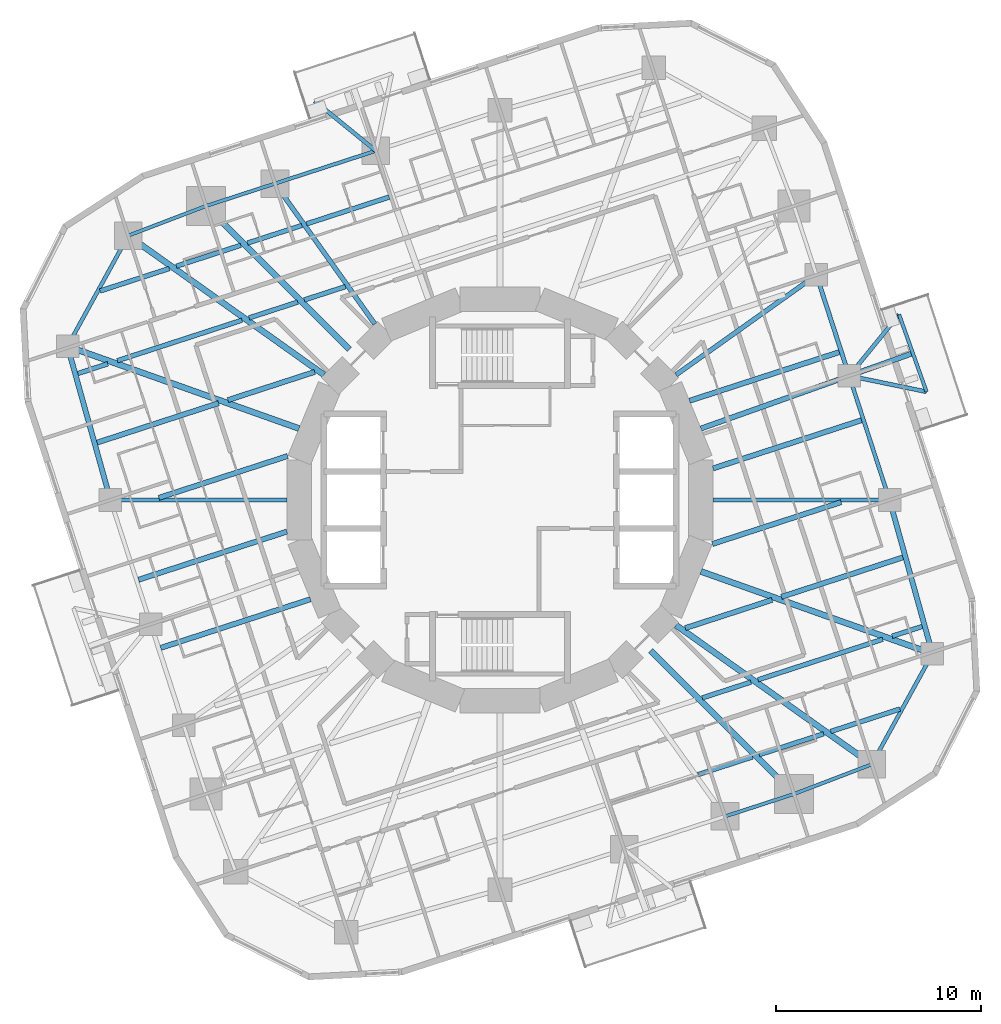
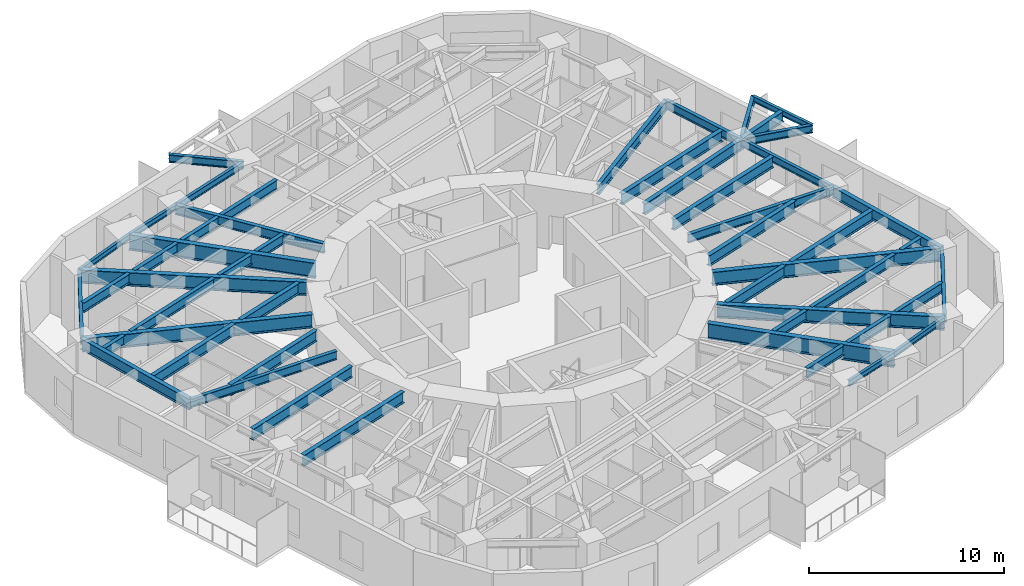
# One storey, part 2 of 13: 50 beams.
"""IFC4 building model written with IfcOpenShell, lengths in metres."""

from ifc_helpers import new_model, si_unit, direction, frame, origin, origin_2d, place, context, subcontext, project, spatial, i_section, extrude, material, material_profile, profile_set, type_object, element, save


model = new_model("IFC4")

# Units and contexts
model_context = context("Model", 3, precision=1e-05, world=origin(), true_north=direction((0.0, 1.0)))
body_context = subcontext(model_context, "Body", "Model", "MODEL_VIEW")
ifc_project = project(units=[si_unit("LENGTHUNIT", "METRE"), si_unit("AREAUNIT", "SQUARE_METRE"), si_unit("VOLUMEUNIT", "CUBIC_METRE"), si_unit("PLANEANGLEUNIT", "RADIAN"), si_unit("MASSUNIT", "GRAM", prefix="KILO")], contexts=[model_context])

# Site, building, storey
site_placement = place(None, origin())
site = spatial("IfcSite", under=ifc_project, at=site_placement, CompositionType="ELEMENT")
building_placement = place(site_placement, origin())
building = spatial("IfcBuilding", under=site, at=building_placement, Name="Nakasero Lantern House", CompositionType="ELEMENT")
storey_placement = place(building_placement, frame((0.0, 0.0, 164.89990234375)))
storey = spatial("IfcBuildingStorey", under=building, at=storey_placement, Name="L40", CompositionType="ELEMENT", Elevation=164.89990234375)

# Beams
ifc_material_1 = material(Name="Steel S355", Category="steel")
ifc_material_profile_1 = material_profile(ifc_material_1, i_section(OverallWidth=0.199462890625, OverallDepth=0.491943359375, WebThickness=0.01806640625, FlangeThickness=0.031982421875, FilletRadius=0.01025390625, at=origin_2d()), Name="UB 457x191x161")
ifc_profile_set_1 = profile_set([ifc_material_profile_1], Name="Steel S355")
beam_type_1 = type_object("IfcBeamType", Name="Balcony splay beam UB 457x191x161", PredefinedType="BEAM", material=ifc_profile_set_1)
for number, where, z_axis, x_axis, name in (
    (1, (17.060546875, 6.06591796875, 3.404052734375), (0.632127727159, 0.774864205236, 0.0), (-0.774864205236, 0.632127727159, 0.0), "Balcony splay beam L41 B4-C04A"),
    (2, (17.060546875, 6.06591796875, 3.404052734375), (0.979420272605, -0.201831438605, 0.0), (0.201831438605, 0.979420272605, 0.0), "Balcony splay beam L41 B4-C04B"),
    (3, (-6.06591796875, 17.060546875, 3.404052734375), (-0.774864205236, 0.632127727159, 0.0), (-0.632127727159, -0.774864205236, 0.0), "Balcony splay beam L41 B4-C10A"),
):
    element("IfcBeam", number, at=place(storey_placement, frame(where, z_axis=z_axis, x_axis=x_axis)), inside=storey, type_object=beam_type_1, Name=name, PredefinedType="BEAM", context=body_context, shape_type="SweptSolid", body=[
        extrude(i_section(OverallWidth=0.199462890625, OverallDepth=0.491943359375, WebThickness=0.01806640625, FlangeThickness=0.031982421875, FilletRadius=0.01025390625, at=origin_2d()), origin(), (0.0, 0.0, 1.0), 3.858642578125),
    ])
ifc_material_2 = material(Name="Steel S355", Category="steel")
ifc_material_profile_2 = material_profile(ifc_material_2, i_section(OverallWidth=0.17138671875, OverallDepth=0.35498046875, WebThickness=0.00732421875, FlangeThickness=0.011474609375, FilletRadius=0.01025390625, at=origin_2d()), Name="UB 356x171x51")
ifc_profile_set_2 = profile_set([ifc_material_profile_2], Name="Steel S355")
beam_type_2 = type_object("IfcBeamType", Name="Balcony tie beam UB 356x171x51", PredefinedType="BEAM", material=ifc_profile_set_2)
beam_1_placement = place(storey_placement, frame((19.499755859375, 9.055908203125, 3.47265625), z_axis=(0.335025321236, -0.942209124415, 0.0), x_axis=(0.942209124415, 0.335025321236, 0.0)))
element("IfcBeam", 4, at=beam_1_placement, inside=storey, type_object=beam_type_2, Name="Balcony tie beam L41 B4-C04", PredefinedType="BEAM", context=body_context, shape_type="SweptSolid", body=[
    extrude(i_section(OverallWidth=0.17138671875, OverallDepth=0.35498046875, WebThickness=0.00732421875, FlangeThickness=0.011474609375, FilletRadius=0.01025390625, at=origin_2d()), origin(), (0.0, 0.0, 1.0), 4.0),
])
ifc_material_3 = material(Name="Steel S355", Category="steel")
ifc_material_profile_3 = material_profile(ifc_material_3, i_section(OverallWidth=0.22900390625, OverallDepth=0.6123046875, WebThickness=0.011962890625, FlangeThickness=0.01953125, FilletRadius=0.0126953125, at=origin_2d()), Name="UB 610x229x125")
ifc_profile_set_3 = profile_set([ifc_material_profile_3], Name="Steel S355")
beam_type_3 = type_object("IfcBeamType", Name="Infill beam UB 610x229x125", PredefinedType="JOIST", material=ifc_profile_set_3)
beam_2_placement = place(storey_placement, frame((9.68017578125, -13.415283203125, 3.343994140625), z_axis=(0.951048827377, 0.309040657431, 0.0), x_axis=(-0.309040657431, 0.951048827377, 0.0)))
element("IfcBeam", 5, at=beam_2_placement, inside=storey, type_object=beam_type_3, Name="Infill beam L41 03.5", PredefinedType="JOIST", context=body_context, shape_type="SweptSolid", body=[
    extrude(i_section(OverallWidth=0.22900390625, OverallDepth=0.6123046875, WebThickness=0.011962890625, FlangeThickness=0.01953125, FilletRadius=0.0126953125, at=origin_2d()), origin(), (0.0, 0.0, 1.0), 2.7958984375),
])
beam_3_placement = place(storey_placement, frame((12.659423828125, -12.447265625, 3.343994140625), z_axis=(0.951057343237, 0.309014449297, 0.0), x_axis=(-0.309014449297, 0.951057343237, 0.0)))
element("IfcBeam", 6, at=beam_3_placement, inside=storey, type_object=beam_type_3, Name="Infill beam L41 03.6", PredefinedType="JOIST", context=body_context, shape_type="SweptSolid", body=[
    extrude(i_section(OverallWidth=0.22900390625, OverallDepth=0.6123046875, WebThickness=0.011962890625, FlangeThickness=0.01953125, FilletRadius=0.0126953125, at=origin_2d()), origin(), (0.0, 0.0, 1.0), 3.314208984375),
])
beam_4_placement = place(storey_placement, frame((16.15771484375, -11.310546875, 3.343994140625), z_axis=(0.951052231022, 0.309030182777, 0.0), x_axis=(-0.309030182777, 0.951052231022, 0.0)))
element("IfcBeam", 7, at=beam_4_placement, inside=storey, type_object=beam_type_3, Name="Infill beam L41 03.7", PredefinedType="JOIST", context=body_context, shape_type="SweptSolid", body=[
    extrude(i_section(OverallWidth=0.22900390625, OverallDepth=0.6123046875, WebThickness=0.011962890625, FlangeThickness=0.01953125, FilletRadius=0.0126953125, at=origin_2d()), origin(), (0.0, 0.0, 1.0), 3.555908203125),
])
beam_5_placement = place(storey_placement, frame((9.8818359375, -9.669677734375, 3.343994140625), z_axis=(0.95105846813, 0.30901098718, 0.0), x_axis=(-0.30901098718, 0.95105846813, 0.0)))
element("IfcBeam", 8, at=beam_5_placement, inside=storey, type_object=beam_type_3, Name="Infill beam L41 04.6", PredefinedType="JOIST", context=body_context, shape_type="SweptSolid", body=[
    extrude(i_section(OverallWidth=0.22900390625, OverallDepth=0.6123046875, WebThickness=0.011962890625, FlangeThickness=0.01953125, FilletRadius=0.0126953125, at=origin_2d()), origin(), (0.0, 0.0, 1.0), 2.499755859375),
])
beam_6_placement = place(storey_placement, frame((12.605712890625, -8.78466796875, 3.343994140625), z_axis=(0.951048625867, 0.309041277561, 0.0), x_axis=(-0.309041277561, 0.951048625867, 0.0)))
element("IfcBeam", 9, at=beam_6_placement, inside=storey, type_object=beam_type_3, Name="Infill beam L41 04.7", PredefinedType="JOIST", context=body_context, shape_type="SweptSolid", body=[
    extrude(i_section(OverallWidth=0.22900390625, OverallDepth=0.6123046875, WebThickness=0.011962890625, FlangeThickness=0.01953125, FilletRadius=0.0126953125, at=origin_2d()), origin(), (0.0, 0.0, 1.0), 6.408447265625),
])
for number, where, z_axis, x_axis, name in (
    (10, (19.156494140625, -6.656005859375, 3.343994140625), (0.95105845859, 0.309011016544, 0.0), (-0.309011016544, 0.95105845859, 0.0), "Infill beam L41 04.8"),
    (11, (-20.62548828125, 6.1787109375, 3.343994140625), (0.95105845859, 0.309011016544, 0.0), (-0.309011016544, 0.95105845859, 0.0), "Infill beam L41 11.1"),
):
    element("IfcBeam", number, at=place(storey_placement, frame(where, z_axis=z_axis, x_axis=x_axis)), inside=storey, type_object=beam_type_3, Name=name, PredefinedType="JOIST", context=body_context, shape_type="SweptSolid", body=[
        extrude(i_section(OverallWidth=0.22900390625, OverallDepth=0.6123046875, WebThickness=0.011962890625, FlangeThickness=0.01953125, FilletRadius=0.0126953125, at=origin_2d()), origin(), (0.0, 0.0, 1.0), 1.544677734375),
    ])
beam_7_placement = place(storey_placement, frame((-18.700439453125, 6.80419921875, 3.343994140625), z_axis=(0.951048625867, 0.309041277561, 0.0), x_axis=(-0.309041277561, 0.951048625867, 0.0)))
element("IfcBeam", 12, at=beam_7_placement, inside=storey, type_object=beam_type_3, Name="Infill beam L41 11.2", PredefinedType="JOIST", context=body_context, shape_type="SweptSolid", body=[
    extrude(i_section(OverallWidth=0.22900390625, OverallDepth=0.6123046875, WebThickness=0.011962890625, FlangeThickness=0.01953125, FilletRadius=0.0126953125, at=origin_2d()), origin(), (0.0, 0.0, 1.0), 6.408447265625),
])
beam_8_placement = place(storey_placement, frame((-12.25927734375, 8.897216796875, 3.343994140625), z_axis=(0.95105846813, 0.30901098718, 0.0), x_axis=(-0.30901098718, 0.95105846813, 0.0)))
element("IfcBeam", 13, at=beam_8_placement, inside=storey, type_object=beam_type_3, Name="Infill beam L41 11.3", PredefinedType="JOIST", context=body_context, shape_type="SweptSolid", body=[
    extrude(i_section(OverallWidth=0.22900390625, OverallDepth=0.6123046875, WebThickness=0.011962890625, FlangeThickness=0.01953125, FilletRadius=0.0126953125, at=origin_2d()), origin(), (0.0, 0.0, 1.0), 2.499755859375),
])
beam_9_placement = place(storey_placement, frame((-9.5615234375, 9.773681640625, 3.343994140625), z_axis=(0.951062120034, 0.308999747307, 0.0), x_axis=(-0.308999747307, 0.951062120034, 0.0)))
element("IfcBeam", 14, at=beam_9_placement, inside=storey, type_object=beam_type_3, Name="Infill beam L41 11.4", PredefinedType="JOIST", context=body_context, shape_type="SweptSolid", body=[
    extrude(i_section(OverallWidth=0.22900390625, OverallDepth=0.6123046875, WebThickness=0.011962890625, FlangeThickness=0.01953125, FilletRadius=0.0126953125, at=origin_2d()), origin(), (0.0, 0.0, 1.0), 2.1103515625),
])
beam_10_placement = place(storey_placement, frame((-19.53955078125, 10.211669921875, 3.343994140625), z_axis=(0.951052231022, 0.309030182777, 0.0), x_axis=(-0.309030182777, 0.951052231022, 0.0)))
element("IfcBeam", 15, at=beam_10_placement, inside=storey, type_object=beam_type_3, Name="Infill beam L41 12.1", PredefinedType="JOIST", context=body_context, shape_type="SweptSolid", body=[
    extrude(i_section(OverallWidth=0.22900390625, OverallDepth=0.6123046875, WebThickness=0.011962890625, FlangeThickness=0.01953125, FilletRadius=0.0126953125, at=origin_2d()), origin(), (0.0, 0.0, 1.0), 3.555908203125),
])
beam_11_placement = place(storey_placement, frame((-15.8115234375, 11.423095703125, 3.343994140625), z_axis=(0.951057343237, 0.309014449297, 0.0), x_axis=(-0.309014449297, 0.951057343237, 0.0)))
element("IfcBeam", 16, at=beam_11_placement, inside=storey, type_object=beam_type_3, Name="Infill beam L41 12.2", PredefinedType="JOIST", context=body_context, shape_type="SweptSolid", body=[
    extrude(i_section(OverallWidth=0.22900390625, OverallDepth=0.6123046875, WebThickness=0.011962890625, FlangeThickness=0.01953125, FilletRadius=0.0126953125, at=origin_2d()), origin(), (0.0, 0.0, 1.0), 3.314208984375),
])
beam_12_placement = place(storey_placement, frame((-12.339111328125, 12.55126953125, 3.343994140625), z_axis=(0.951048827377, 0.309040657431, 0.0), x_axis=(-0.309040657431, 0.951048827377, 0.0)))
element("IfcBeam", 17, at=beam_12_placement, inside=storey, type_object=beam_type_3, Name="Infill beam L41 12.3", PredefinedType="JOIST", context=body_context, shape_type="SweptSolid", body=[
    extrude(i_section(OverallWidth=0.22900390625, OverallDepth=0.6123046875, WebThickness=0.011962890625, FlangeThickness=0.01953125, FilletRadius=0.0126953125, at=origin_2d()), origin(), (0.0, 0.0, 1.0), 2.7958984375),
])
beam_13_placement = place(storey_placement, frame((-9.451904296875, 13.489501953125, 3.343994140625), z_axis=(0.951061556317, 0.309001482352, 0.0), x_axis=(-0.309001482352, 0.951061556317, 0.0)))
element("IfcBeam", 18, at=beam_13_placement, inside=storey, type_object=beam_type_3, Name="Infill beam L41 12.4", PredefinedType="JOIST", context=body_context, shape_type="SweptSolid", body=[
    extrude(i_section(OverallWidth=0.22900390625, OverallDepth=0.6123046875, WebThickness=0.011962890625, FlangeThickness=0.01953125, FilletRadius=0.0126953125, at=origin_2d()), origin(), (0.0, 0.0, 1.0), 4.241943359375),
])
ifc_material_4 = material(Name="Steel S355", Category="steel")
ifc_material_profile_4 = material_profile(ifc_material_4, i_section(OverallWidth=0.253662109375, OverallDepth=0.68359375, WebThickness=0.012451171875, FlangeThickness=0.01904296875, FilletRadius=0.01513671875, at=origin_2d()), Name="UB 686x254x140")
ifc_profile_set_4 = profile_set([ifc_material_profile_4], Name="Steel S355")
beam_type_4 = type_object("IfcBeamType", Name="Infill beam UB 686x254x140", PredefinedType="JOIST", material=ifc_profile_set_4)
beam_14_placement = place(storey_placement, frame((9.053466796875, -6.258544921875, 3.308349609375), z_axis=(0.951065863794, 0.308988224251, 0.0), x_axis=(-0.308988224251, 0.951065863794, 0.0)))
element("IfcBeam", 19, at=beam_14_placement, inside=storey, type_object=beam_type_4, Name="Infill beam L41 05.3", PredefinedType="JOIST", context=body_context, shape_type="SweptSolid", body=[
    extrude(i_section(OverallWidth=0.253662109375, OverallDepth=0.68359375, WebThickness=0.012451171875, FlangeThickness=0.01904296875, FilletRadius=0.01513671875, at=origin_2d()), origin(), (0.0, 0.0, 1.0), 4.45703125),
])
beam_15_placement = place(storey_placement, frame((13.74853515625, -4.733154296875, 3.308349609375), z_axis=(0.951058217804, 0.30901175762, 0.0), x_axis=(-0.30901175762, 0.951058217804, 0.0)))
element("IfcBeam", 20, at=beam_15_placement, inside=storey, type_object=beam_type_4, Name="Infill beam L41 05.4", PredefinedType="JOIST", context=body_context, shape_type="SweptSolid", body=[
    extrude(i_section(OverallWidth=0.253662109375, OverallDepth=0.68359375, WebThickness=0.012451171875, FlangeThickness=0.01904296875, FilletRadius=0.01513671875, at=origin_2d()), origin(), (0.0, 0.0, 1.0), 6.239990234375),
])
for number, where, z_axis, x_axis, name in (
    (21, (10.375244140625, -2.149169921875, 3.308349609375), (0.951051425994, 0.309032660271, 0.0), (-0.309032660271, 0.951051425994, 0.0), "Infill beam L41 06.2"),
    (22, (-16.666259765625, 0.10498046875, 3.308349609375), (0.951051425994, 0.309032660271, 0.0), (-0.309032660271, 0.951051425994, 0.0), "Infill beam L41 09.1"),
):
    element("IfcBeam", number, at=place(storey_placement, frame(where, z_axis=z_axis, x_axis=x_axis)), inside=storey, type_object=beam_type_4, Name=name, PredefinedType="JOIST", context=body_context, shape_type="SweptSolid", body=[
        extrude(i_section(OverallWidth=0.253662109375, OverallDepth=0.68359375, WebThickness=0.012451171875, FlangeThickness=0.01904296875, FilletRadius=0.01513671875, at=origin_2d()), origin(), (0.0, 0.0, 1.0), 6.61474609375),
    ])
beam_16_placement = place(storey_placement, frame((-19.68310546875, 2.804931640625, 3.308349609375), z_axis=(0.951058217804, 0.30901175762, 0.0), x_axis=(-0.30901175762, 0.951058217804, 0.0)))
element("IfcBeam", 23, at=beam_16_placement, inside=storey, type_object=beam_type_4, Name="Infill beam L41 10.1", PredefinedType="JOIST", context=body_context, shape_type="SweptSolid", body=[
    extrude(i_section(OverallWidth=0.253662109375, OverallDepth=0.68359375, WebThickness=0.012451171875, FlangeThickness=0.01904296875, FilletRadius=0.01513671875, at=origin_2d()), origin(), (0.0, 0.0, 1.0), 6.239990234375),
])
beam_17_placement = place(storey_placement, frame((-13.29248046875, 4.88134765625, 3.308349609375), z_axis=(0.951065863794, 0.308988224251, 0.0), x_axis=(-0.308988224251, 0.951065863794, 0.0)))
element("IfcBeam", 24, at=beam_17_placement, inside=storey, type_object=beam_type_4, Name="Infill beam L41 10.2", PredefinedType="JOIST", context=body_context, shape_type="SweptSolid", body=[
    extrude(i_section(OverallWidth=0.253662109375, OverallDepth=0.68359375, WebThickness=0.012451171875, FlangeThickness=0.01904296875, FilletRadius=0.01513671875, at=origin_2d()), origin(), (0.0, 0.0, 1.0), 4.45703125),
])
ifc_material_5 = material(Name="Steel S355", Category="steel")
ifc_material_profile_5 = material_profile(ifc_material_5, i_section(OverallWidth=0.255859375, OverallDepth=0.69287109375, WebThickness=0.014404296875, FlangeThickness=0.023681640625, FilletRadius=0.01513671875, at=origin_2d()), Name="UB 686x254x170")
ifc_profile_set_5 = profile_set([ifc_material_profile_5], Name="Steel S355")
beam_type_5 = type_object("IfcBeamType", Name="Infill beam UB 686x254x170", PredefinedType="JOIST", material=ifc_profile_set_5)
beam_18_placement = place(storey_placement, frame((-16.573486328125, -7.22509765625, 3.3037109375), z_axis=(0.951055290106, 0.309020768171, 0.0), x_axis=(-0.309020768171, 0.951055290106, 0.0)))
element("IfcBeam", 25, at=beam_18_placement, inside=storey, type_object=beam_type_5, Name="Infill beam L41 07.1", PredefinedType="JOIST", context=body_context, shape_type="SweptSolid", body=[
    extrude(i_section(OverallWidth=0.255859375, OverallDepth=0.69287109375, WebThickness=0.014404296875, FlangeThickness=0.023681640625, FilletRadius=0.01513671875, at=origin_2d()), origin(), (0.0, 0.0, 1.0), 7.692626953125),
])
for number, where, z_axis, x_axis, name in (
    (26, (10.407958984375, 1.541748046875, 3.3037109375), (0.95106204683, 0.308999972622, 0.0), (-0.308999972622, 0.95106204683, 0.0), "Infill beam L41 07.2"),
    (27, (-17.66455078125, -3.8994140625, 3.3037109375), (0.95106204683, 0.308999972622, 0.0), (-0.308999972622, 0.95106204683, 0.0), "Infill beam L41 08.1"),
):
    element("IfcBeam", number, at=place(storey_placement, frame(where, z_axis=z_axis, x_axis=x_axis)), inside=storey, type_object=beam_type_5, Name=name, PredefinedType="JOIST", context=body_context, shape_type="SweptSolid", body=[
        extrude(i_section(OverallWidth=0.255859375, OverallDepth=0.69287109375, WebThickness=0.014404296875, FlangeThickness=0.023681640625, FilletRadius=0.01513671875, at=origin_2d()), origin(), (0.0, 0.0, 1.0), 7.6298828125),
    ])
beam_19_placement = place(storey_placement, frame((9.25732421875, 4.847900390625, 3.3037109375), z_axis=(0.951055290106, 0.309020768171, 0.0), x_axis=(-0.309020768171, 0.951055290106, 0.0)))
element("IfcBeam", 28, at=beam_19_placement, inside=storey, type_object=beam_type_5, Name="Infill beam L41 08.2", PredefinedType="JOIST", context=body_context, shape_type="SweptSolid", body=[
    extrude(i_section(OverallWidth=0.255859375, OverallDepth=0.69287109375, WebThickness=0.014404296875, FlangeThickness=0.023681640625, FilletRadius=0.01513671875, at=origin_2d()), origin(), (0.0, 0.0, 1.0), 7.692626953125),
])
ifc_material_6 = material(Name="Steel S355", Category="steel")
ifc_material_profile_6 = material_profile(ifc_material_6, i_section(OverallWidth=0.300048828125, OverallDepth=0.97021484375, WebThickness=0.01611328125, FlangeThickness=0.02099609375, FilletRadius=0.030029296875, at=origin_2d()), Name="UB 1016x305x222")
ifc_profile_set_6 = profile_set([ifc_material_profile_6], Name="Steel S355")
beam_type_6 = type_object("IfcBeamType", Name="Primary beam UB 1016x305x222, span 9 to 12 m", PredefinedType="BEAM", material=ifc_profile_set_6)
for number, where, z_axis, x_axis, name in (
    (29, (-14.3642578125, 14.3642578125, 3.1650390625), (0.707106781187, -0.707106781187, 0.0), (0.707106781187, 0.707106781187, 0.0), "Primary beam L41 B4-C12"),
    (30, (14.3642578125, -14.3642578125, 3.1650390625), (-0.707106781187, 0.707106781187, 0.0), (-0.707106781187, -0.707106781187, 0.0), "Primary beam L41 B4-C24"),
):
    element("IfcBeam", number, at=place(storey_placement, frame(where, z_axis=z_axis, x_axis=x_axis)), inside=storey, type_object=beam_type_6, Name=name, PredefinedType="BEAM", context=body_context, shape_type="SweptSolid", body=[
        extrude(i_section(OverallWidth=0.300048828125, OverallDepth=0.97021484375, WebThickness=0.01611328125, FlangeThickness=0.02099609375, FilletRadius=0.030029296875, at=origin_2d()), origin(), (0.0, 0.0, 1.0), 9.906494140625),
    ])
ifc_material_7 = material(Name="Steel S355", Category="steel")
ifc_material_profile_7 = material_profile(ifc_material_7, i_section(OverallWidth=0.2099609375, OverallDepth=0.53662109375, WebThickness=0.0107421875, FlangeThickness=0.017333984375, FilletRadius=0.0126953125, at=origin_2d()), Name="UB 533x210x101")
ifc_profile_set_7 = profile_set([ifc_material_profile_7], Name="Steel S355")
beam_type_7 = type_object("IfcBeamType", Name="Primary beam UB 533x210x101, span 6 to 9 m", PredefinedType="BEAM", material=ifc_profile_set_7)
for number, where, z_axis, x_axis, name in (
    (31, (19.031494140625, 0.0, 3.3818359375), (-1.0, 0.0, 0.0), (0.0, -1.0, 0.0), "Primary beam L41 B4-C03"),
    (32, (-19.031494140625, 0.0, 3.3818359375), (1.0, 0.0, 0.0), (0.0, 1.0, 0.0), "Primary beam L41 B4-C15"),
):
    element("IfcBeam", number, at=place(storey_placement, frame(where, z_axis=z_axis, x_axis=x_axis)), inside=storey, type_object=beam_type_7, Name=name, PredefinedType="BEAM", context=body_context, shape_type="SweptSolid", body=[
        extrude(i_section(OverallWidth=0.2099609375, OverallDepth=0.53662109375, WebThickness=0.0107421875, FlangeThickness=0.017333984375, FilletRadius=0.0126953125, at=origin_2d()), origin(), (0.0, 0.0, 1.0), 8.62353515625),
    ])
ifc_material_8 = material(Name="Steel S355", Category="steel")
ifc_material_profile_8 = material_profile(ifc_material_8, i_section(OverallWidth=0.22900390625, OverallDepth=0.6123046875, WebThickness=0.011962890625, FlangeThickness=0.01953125, FilletRadius=0.0126953125, at=origin_2d()), Name="UB 610x229x125")
ifc_profile_set_8 = profile_set([ifc_material_profile_8], Name="Steel S355")
beam_type_8 = type_object("IfcBeamType", Name="Primary beam UB 610x229x125, span 6 to 9 m", PredefinedType="BEAM", material=ifc_profile_set_8)
for number, where, z_axis, x_axis, name in (
    (33, (15.45947265625, 10.993408203125, 3.343994140625), (-0.81495106139, -0.579529781409, 0.0), (0.579529781409, -0.81495106139, 0.0), "Primary beam L41 B4-C05"),
    (34, (-10.993408203125, 15.45947265625, 3.343994140625), (0.579529781409, -0.81495106139, 0.0), (0.81495106139, 0.579529781409, 0.0), "Primary beam L41 B4-C11"),
):
    element("IfcBeam", number, at=place(storey_placement, frame(where, z_axis=z_axis, x_axis=x_axis)), inside=storey, type_object=beam_type_8, Name=name, PredefinedType="BEAM", context=body_context, shape_type="SweptSolid", body=[
        extrude(i_section(OverallWidth=0.22900390625, OverallDepth=0.6123046875, WebThickness=0.011962890625, FlangeThickness=0.01953125, FilletRadius=0.0126953125, at=origin_2d()), origin(), (0.0, 0.0, 1.0), 8.41455078125),
    ])
ifc_material_9 = material(Name="Steel S355", Category="steel")
ifc_material_profile_9 = material_profile(ifc_material_9, i_section(OverallWidth=0.253662109375, OverallDepth=0.68359375, WebThickness=0.012451171875, FlangeThickness=0.01904296875, FilletRadius=0.01513671875, at=origin_2d()), Name="UB 686x254x140")
ifc_profile_set_9 = profile_set([ifc_material_profile_9], Name="Steel S355")
beam_type_9 = type_object("IfcBeamType", Name="Primary beam UB 686x254x140, span 6 to 9 m", PredefinedType="BEAM", material=ifc_profile_set_9)
beam_20_placement = place(storey_placement, frame((20.169921875, 7.17138671875, 3.308349609375), z_axis=(-0.942215625619, -0.335007036998, 0.0), x_axis=(0.335007036998, -0.942215625619, 0.0)))
element("IfcBeam", 35, at=beam_20_placement, inside=storey, type_object=beam_type_9, Name="Primary beam L41 B4-C04", PredefinedType="BEAM", context=body_context, shape_type="SweptSolid", body=[
    extrude(i_section(OverallWidth=0.253662109375, OverallDepth=0.68359375, WebThickness=0.012451171875, FlangeThickness=0.01904296875, FilletRadius=0.01513671875, at=origin_2d()), origin(), (0.0, 0.0, 1.0), 10.9853515625),
])
ifc_material_10 = material(Name="Steel S355", Category="steel")
ifc_material_profile_10 = material_profile(ifc_material_10, i_section(OverallWidth=0.29248046875, OverallDepth=0.8408203125, WebThickness=0.0146484375, FlangeThickness=0.02685546875, FilletRadius=0.017822265625, at=origin_2d()), Name="UB 838x292x194")
ifc_profile_set_10 = profile_set([ifc_material_profile_10], Name="Steel S355")
beam_type_10 = type_object("IfcBeamType", Name="Primary beam UB 838x292x194, span 12 to 15 m", PredefinedType="BEAM", material=ifc_profile_set_10)
for number, where, z_axis, x_axis, name in (
    (36, (21.129638671875, -7.5126953125, 3.229736328125), (-0.942213548974, 0.335012877559, 0.0), (-0.335012877559, -0.942213548974, 0.0), "Primary beam L41 B4-C02"),
    (37, (-21.129638671875, 7.5126953125, 3.229736328125), (0.942213548974, -0.335012877559, 0.0), (0.335012877559, 0.942213548974, 0.0), "Primary beam L41 B4-C14"),
):
    element("IfcBeam", number, at=place(storey_placement, frame(where, z_axis=z_axis, x_axis=x_axis)), inside=storey, type_object=beam_type_10, Name=name, PredefinedType="BEAM", context=body_context, shape_type="SweptSolid", body=[
        extrude(i_section(OverallWidth=0.29248046875, OverallDepth=0.8408203125, WebThickness=0.0146484375, FlangeThickness=0.02685546875, FilletRadius=0.017822265625, at=origin_2d()), origin(), (0.0, 0.0, 1.0), 12.00390625),
    ])
ifc_material_11 = material(Name="Steel S355", Category="steel")
ifc_material_profile_11 = material_profile(ifc_material_11, i_section(OverallWidth=0.29248046875, OverallDepth=0.8408203125, WebThickness=0.0146484375, FlangeThickness=0.02685546875, FilletRadius=0.017822265625, at=origin_2d()), Name="UB 838x292x194")
ifc_profile_set_11 = profile_set([ifc_material_profile_11], Name="Steel S355")
beam_type_11 = type_object("IfcBeamType", Name="Primary beam UB 838x292x194, span 9 to 12 m", PredefinedType="BEAM", material=ifc_profile_set_11)
for number, where, z_axis, x_axis, name in (
    (38, (18.1630859375, -12.916015625, 3.229736328125), (-0.814950738075, 0.579530236062, 0.0), (-0.579530236062, -0.814950738075, 0.0), "Primary beam L41 B4-C01"),
    (39, (-18.1630859375, 12.916015625, 3.229736328125), (0.814950738075, -0.579530236062, 0.0), (0.579530236062, 0.814950738075, 0.0), "Primary beam L41 B4-C13"),
):
    element("IfcBeam", number, at=place(storey_placement, frame(where, z_axis=z_axis, x_axis=x_axis)), inside=storey, type_object=beam_type_11, Name=name, PredefinedType="BEAM", context=body_context, shape_type="SweptSolid", body=[
        extrude(i_section(OverallWidth=0.29248046875, OverallDepth=0.8408203125, WebThickness=0.0146484375, FlangeThickness=0.02685546875, FilletRadius=0.017822265625, at=origin_2d()), origin(), (0.0, 0.0, 1.0), 11.73193359375),
    ])
ifc_material_12 = material(Name="Steel S355", Category="steel")
ifc_material_profile_12 = material_profile(ifc_material_12, i_section(OverallWidth=0.17138671875, OverallDepth=0.35498046875, WebThickness=0.00732421875, FlangeThickness=0.011474609375, FilletRadius=0.01025390625, at=origin_2d()), Name="UB 356x171x51")
ifc_profile_set_12 = profile_set([ifc_material_profile_12], Name="Steel S355")
beam_type_12 = type_object("IfcBeamType", Name="Ring beam UB 356x171x51", PredefinedType="BEAM", material=ifc_profile_set_12)
beam_21_placement = place(storey_placement, frame((-10.993408203125, 15.45947265625, 3.47265625), z_axis=(-0.951059881727, -0.309006636447, 0.0), x_axis=(0.309006636447, -0.951059881727, 0.0)))
element("IfcBeam", 40, at=beam_21_placement, inside=storey, type_object=beam_type_12, Name="Ring beam L41 B4-C11", PredefinedType="BEAM", context=body_context, shape_type="SweptSolid", body=[
    extrude(i_section(OverallWidth=0.17138671875, OverallDepth=0.35498046875, WebThickness=0.00732421875, FlangeThickness=0.011474609375, FilletRadius=0.01025390625, at=origin_2d()), origin(), (0.0, 0.0, 1.0), 3.544189453125),
])
beam_22_placement = place(storey_placement, frame((-14.3642578125, 14.3642578125, 3.47265625), z_axis=(-0.934400186194, -0.35622505813, 0.0), x_axis=(0.35622505813, -0.934400186194, 0.0)))
element("IfcBeam", 41, at=beam_22_placement, inside=storey, type_object=beam_type_12, Name="Ring beam L41 B4-C12", PredefinedType="BEAM", context=body_context, shape_type="SweptSolid", body=[
    extrude(i_section(OverallWidth=0.17138671875, OverallDepth=0.35498046875, WebThickness=0.00732421875, FlangeThickness=0.011474609375, FilletRadius=0.01025390625, at=origin_2d()), origin(), (0.0, 0.0, 1.0), 4.0654296875),
])
beam_23_placement = place(storey_placement, frame((10.993408203125, -15.45947265625, 3.47265625), z_axis=(0.951059881727, 0.309006636447, 0.0), x_axis=(-0.309006636447, 0.951059881727, 0.0)))
element("IfcBeam", 42, at=beam_23_placement, inside=storey, type_object=beam_type_12, Name="Ring beam L41 B4-C23", PredefinedType="BEAM", context=body_context, shape_type="SweptSolid", body=[
    extrude(i_section(OverallWidth=0.17138671875, OverallDepth=0.35498046875, WebThickness=0.00732421875, FlangeThickness=0.011474609375, FilletRadius=0.01025390625, at=origin_2d()), origin(), (0.0, 0.0, 1.0), 3.544189453125),
])
beam_24_placement = place(storey_placement, frame((14.3642578125, -14.3642578125, 3.47265625), z_axis=(0.934400186194, 0.35622505813, 0.0), x_axis=(-0.35622505813, 0.934400186194, 0.0)))
element("IfcBeam", 43, at=beam_24_placement, inside=storey, type_object=beam_type_12, Name="Ring beam L41 B4-C24", PredefinedType="BEAM", context=body_context, shape_type="SweptSolid", body=[
    extrude(i_section(OverallWidth=0.17138671875, OverallDepth=0.35498046875, WebThickness=0.00732421875, FlangeThickness=0.011474609375, FilletRadius=0.01025390625, at=origin_2d()), origin(), (0.0, 0.0, 1.0), 4.0654296875),
])
ifc_material_13 = material(Name="Steel S355", Category="steel")
ifc_material_profile_13 = material_profile(ifc_material_13, i_section(OverallWidth=0.177978515625, OverallDepth=0.406494140625, WebThickness=0.0078125, FlangeThickness=0.0126953125, FilletRadius=0.01025390625, at=origin_2d()), Name="UB 406x178x60")
ifc_profile_set_13 = profile_set([ifc_material_profile_13], Name="Steel S355")
beam_type_13 = type_object("IfcBeamType", Name="Ring beam UB 406x178x60", PredefinedType="BEAM", material=ifc_profile_set_13)
beam_25_placement = place(storey_placement, frame((-6.06591796875, 17.060546875, 3.44677734375), z_axis=(-0.95105449754, -0.309023207396, 0.0), x_axis=(0.309023207396, -0.95105449754, 0.0)))
element("IfcBeam", 44, at=beam_25_placement, inside=storey, type_object=beam_type_13, Name="Ring beam L41 B4-C10", PredefinedType="BEAM", context=body_context, shape_type="SweptSolid", body=[
    extrude(i_section(OverallWidth=0.177978515625, OverallDepth=0.406494140625, WebThickness=0.0078125, FlangeThickness=0.0126953125, FilletRadius=0.01025390625, at=origin_2d()), origin(), (0.0, 0.0, 1.0), 5.18115234375),
])
ifc_material_14 = material(Name="Steel S355", Category="steel")
ifc_material_profile_14 = material_profile(ifc_material_14, i_section(OverallWidth=0.18994140625, OverallDepth=0.453369140625, WebThickness=0.008544921875, FlangeThickness=0.0126953125, FilletRadius=0.01025390625, at=origin_2d()), Name="UB 457x191x67")
ifc_profile_set_14 = profile_set([ifc_material_profile_14], Name="Steel S355")
beam_type_14 = type_object("IfcBeamType", Name="Ring beam UB 457x191x67", PredefinedType="BEAM", material=ifc_profile_set_14)
beam_26_placement = place(storey_placement, frame((18.1630859375, -12.916015625, 3.42333984375), z_axis=(0.481261795861, 0.876576912681, 0.0), x_axis=(-0.876576912681, 0.481261795861, 0.0)))
element("IfcBeam", 45, at=beam_26_placement, inside=storey, type_object=beam_type_14, Name="Ring beam L41 B4-C01", PredefinedType="BEAM", context=body_context, shape_type="SweptSolid", body=[
    extrude(i_section(OverallWidth=0.18994140625, OverallDepth=0.453369140625, WebThickness=0.008544921875, FlangeThickness=0.0126953125, FilletRadius=0.01025390625, at=origin_2d()), origin(), (0.0, 0.0, 1.0), 6.1640625),
])
beam_27_placement = place(storey_placement, frame((19.031494140625, 0.0, 3.42333984375), z_axis=(-0.309018560274, 0.951056007502, 0.0), x_axis=(-0.951056007502, -0.309018560274, 0.0)))
element("IfcBeam", 46, at=beam_27_placement, inside=storey, type_object=beam_type_14, Name="Ring beam L41 B4-C03", PredefinedType="BEAM", context=body_context, shape_type="SweptSolid", body=[
    extrude(i_section(OverallWidth=0.18994140625, OverallDepth=0.453369140625, WebThickness=0.008544921875, FlangeThickness=0.0126953125, FilletRadius=0.01025390625, at=origin_2d()), origin(), (0.0, 0.0, 1.0), 6.378173828125),
])
beam_28_placement = place(storey_placement, frame((-18.1630859375, 12.916015625, 3.42333984375), z_axis=(-0.481261795861, -0.876576912681, 0.0), x_axis=(0.876576912681, -0.481261795861, 0.0)))
element("IfcBeam", 47, at=beam_28_placement, inside=storey, type_object=beam_type_14, Name="Ring beam L41 B4-C13", PredefinedType="BEAM", context=body_context, shape_type="SweptSolid", body=[
    extrude(i_section(OverallWidth=0.18994140625, OverallDepth=0.453369140625, WebThickness=0.008544921875, FlangeThickness=0.0126953125, FilletRadius=0.01025390625, at=origin_2d()), origin(), (0.0, 0.0, 1.0), 6.1640625),
])
ifc_material_15 = material(Name="Steel S355", Category="steel")
ifc_material_profile_15 = material_profile(ifc_material_15, i_section(OverallWidth=0.2099609375, OverallDepth=0.53662109375, WebThickness=0.0107421875, FlangeThickness=0.017333984375, FilletRadius=0.0126953125, at=origin_2d()), Name="UB 533x210x101")
ifc_profile_set_15 = profile_set([ifc_material_profile_15], Name="Steel S355")
beam_type_15 = type_object("IfcBeamType", Name="Ring beam UB 533x210x101", PredefinedType="BEAM", material=ifc_profile_set_15)
beam_29_placement = place(storey_placement, frame((17.060546875, 6.06591796875, 3.3818359375), z_axis=(-0.309023207396, 0.95105449754, 0.0), x_axis=(-0.95105449754, -0.309023207396, 0.0)))
element("IfcBeam", 48, at=beam_29_placement, inside=storey, type_object=beam_type_15, Name="Ring beam L41 B4-C04", PredefinedType="BEAM", context=body_context, shape_type="SweptSolid", body=[
    extrude(i_section(OverallWidth=0.2099609375, OverallDepth=0.53662109375, WebThickness=0.0107421875, FlangeThickness=0.017333984375, FilletRadius=0.0126953125, at=origin_2d()), origin(), (0.0, 0.0, 1.0), 5.18115234375),
])
ifc_material_16 = material(Name="Steel S355", Category="steel")
ifc_material_profile_16 = material_profile(ifc_material_16, i_section(OverallWidth=0.253662109375, OverallDepth=0.68359375, WebThickness=0.012451171875, FlangeThickness=0.01904296875, FilletRadius=0.01513671875, at=origin_2d()), Name="UB 686x254x140")
ifc_profile_set_16 = profile_set([ifc_material_profile_16], Name="Steel S355")
beam_type_16 = type_object("IfcBeamType", Name="Ring beam UB 686x254x140", PredefinedType="BEAM", material=ifc_profile_set_16)
for number, where, z_axis, x_axis, name in (
    (49, (21.129638671875, -7.5126953125, 3.308349609375), (-0.268986696047, 0.963143892339, 0.0), (-0.963143892339, -0.268986696047, 0.0), "Ring beam L41 B4-C02"),
    (50, (-21.129638671875, 7.5126953125, 3.308349609375), (0.268986696047, -0.963143892339, 0.0), (0.963143892339, 0.268986696047, 0.0), "Ring beam L41 B4-C14"),
):
    element("IfcBeam", number, at=place(storey_placement, frame(where, z_axis=z_axis, x_axis=x_axis)), inside=storey, type_object=beam_type_16, Name=name, PredefinedType="BEAM", context=body_context, shape_type="SweptSolid", body=[
        extrude(i_section(OverallWidth=0.253662109375, OverallDepth=0.68359375, WebThickness=0.012451171875, FlangeThickness=0.01904296875, FilletRadius=0.01513671875, at=origin_2d()), origin(), (0.0, 0.0, 1.0), 7.80029296875),
    ])

save(model, "model.ifc")
